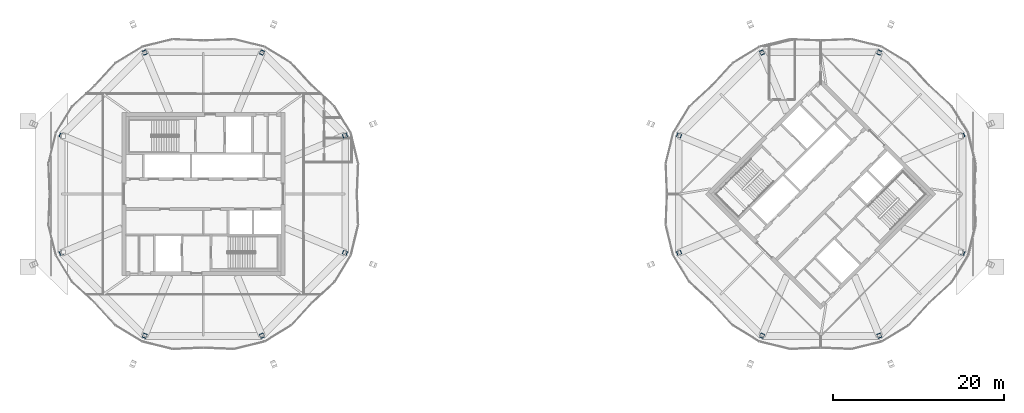
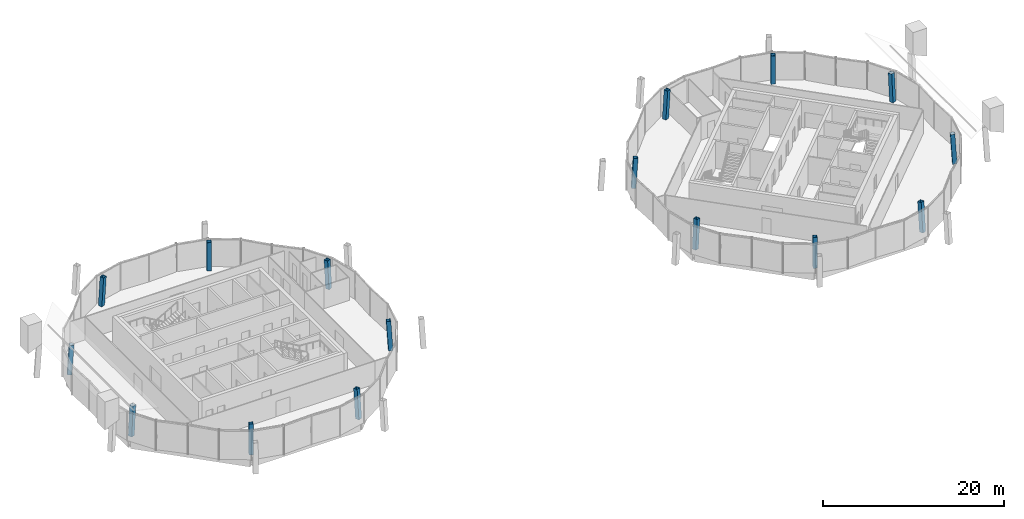
# One storey, part 1 of 22: 16 columns.
"""IFC4 building model written with IfcOpenShell, lengths in metres."""

from ifc_helpers import new_model, si_unit, direction, frame, origin, origin_2d, place, context, subcontext, project, spatial, hollow_rectangle, extrude, material, material_profile, profile_set, type_object, element, save


model = new_model("IFC4")

# Units and contexts
model_context = context("Model", 3, precision=1e-05, world=origin(), true_north=direction((0.0, 1.0)))
body_context = subcontext(model_context, "Body", "Model", "MODEL_VIEW")
ifc_project = project(units=[si_unit("LENGTHUNIT", "METRE"), si_unit("AREAUNIT", "SQUARE_METRE"), si_unit("VOLUMEUNIT", "CUBIC_METRE"), si_unit("PLANEANGLEUNIT", "RADIAN"), si_unit("MASSUNIT", "GRAM", prefix="KILO")], contexts=[model_context])

# Site, building, storey
site_placement = place(None, origin())
site = spatial("IfcSite", under=ifc_project, at=site_placement, CompositionType="ELEMENT")
building_placement = place(site_placement, origin())
building = spatial("IfcBuilding", under=site, at=building_placement, Name="Ogive Gate Towers", CompositionType="ELEMENT")
storey_placement = place(building_placement, frame((0.0, 0.0, 298.0)))
storey = spatial("IfcBuildingStorey", under=building, at=storey_placement, Name="L70", CompositionType="ELEMENT", Elevation=298.0)

# Columns
ifc_material = material(Name="Steel SM460", Category="steel")
ifc_material_profile = material_profile(ifc_material, hollow_rectangle(XDim=0.5, YDim=0.5, WallThickness=0.030029296875, at=origin_2d()), Name="BX 500x500x30")
ifc_profile_set = profile_set([ifc_material_profile], Name="Steel SM460")
column_type = type_object("IfcColumnType", Name="Perimeter post BX 500x500x30", PredefinedType="COLUMN", material=ifc_profile_set)
for number, where, z_axis, x_axis, name in (
    (1, (-19.453369140625, 6.853759765625, 0.0), (-0.056473784619, -0.023393671298, 0.998129975401), (0.382703871955, -0.923871065891, 0.0), "T1/L70/SCL001"),
    (2, (-29.146240234375, 16.546630859375, 0.0), (-0.023393671298, -0.056473784619, 0.998129975401), (0.923871065891, -0.382703871955, 0.0), "T1/L70/SCL002"),
    (3, (-42.853759765625, 16.546630859375, 0.0), (0.023393671298, -0.056473784619, 0.998129975401), (0.923871065891, 0.382703871955, 0.0), "T1/L70/SCL003"),
    (4, (-52.546630859375, 6.853759765625, 0.0), (0.056473784619, -0.023393671298, 0.998129975401), (0.382703871955, 0.923871065891, 0.0), "T1/L70/SCL004"),
    (5, (-52.546630859375, -6.853759765625, 0.0), (0.056473784619, 0.023393671298, 0.998129975401), (-0.382703871955, 0.923871065891, 0.0), "T1/L70/SCL005"),
    (6, (-42.853759765625, -16.546630859375, 0.0), (0.023393671298, 0.056473784619, 0.998129975401), (-0.923871065891, 0.382703871955, 0.0), "T1/L70/SCL006"),
    (7, (-29.146240234375, -16.546630859375, 0.0), (-0.023393671298, 0.056473784619, 0.998129975401), (-0.923871065891, -0.382703871955, 0.0), "T1/L70/SCL007"),
    (8, (-19.453369140625, -6.853759765625, 0.0), (-0.056473784619, 0.023393671298, 0.998129975401), (-0.382703871955, -0.923871065891, 0.0), "T1/L70/SCL008"),
    (9, (52.546630859375, 6.853759765625, 0.0), (-0.056473784619, -0.023393671298, 0.998129975401), (0.382703871955, -0.923871065891, 0.0), "T2/L70/SCL001"),
    (10, (42.853759765625, 16.546630859375, 0.0), (-0.023393671298, -0.056473784619, 0.998129975401), (0.923871065891, -0.382703871955, 0.0), "T2/L70/SCL002"),
    (11, (29.146240234375, 16.546630859375, 0.0), (0.023393671298, -0.056473784619, 0.998129975401), (0.923871065891, 0.382703871955, 0.0), "T2/L70/SCL003"),
    (12, (19.453369140625, 6.853759765625, 0.0), (0.056473784619, -0.023393671298, 0.998129975401), (0.382703871955, 0.923871065891, 0.0), "T2/L70/SCL004"),
    (13, (19.453369140625, -6.853759765625, 0.0), (0.056473784619, 0.023393671298, 0.998129975401), (-0.382703871955, 0.923871065891, 0.0), "T2/L70/SCL005"),
    (14, (29.146240234375, -16.546630859375, 0.0), (0.023393671298, 0.056473784619, 0.998129975401), (-0.923871065891, 0.382703871955, 0.0), "T2/L70/SCL006"),
    (15, (42.853759765625, -16.546630859375, 0.0), (-0.023393671298, 0.056473784619, 0.998129975401), (-0.923871065891, -0.382703871955, 0.0), "T2/L70/SCL007"),
    (16, (52.546630859375, -6.853759765625, 0.0), (-0.056473784619, 0.023393671298, 0.998129975401), (-0.382703871955, -0.923871065891, 0.0), "T2/L70/SCL008"),
):
    element("IfcColumn", number, at=place(storey_placement, frame(where, z_axis=z_axis, x_axis=x_axis)), inside=storey, type_object=column_type, Name=name, PredefinedType="COLUMN", context=body_context, shape_type="SweptSolid", body=[
        extrude(hollow_rectangle(XDim=0.5, YDim=0.5, WallThickness=0.030029296875, at=origin_2d()), origin(), (0.0, 0.0, 1.0), 4.007568359375),
    ])

save(model, "model.ifc")
